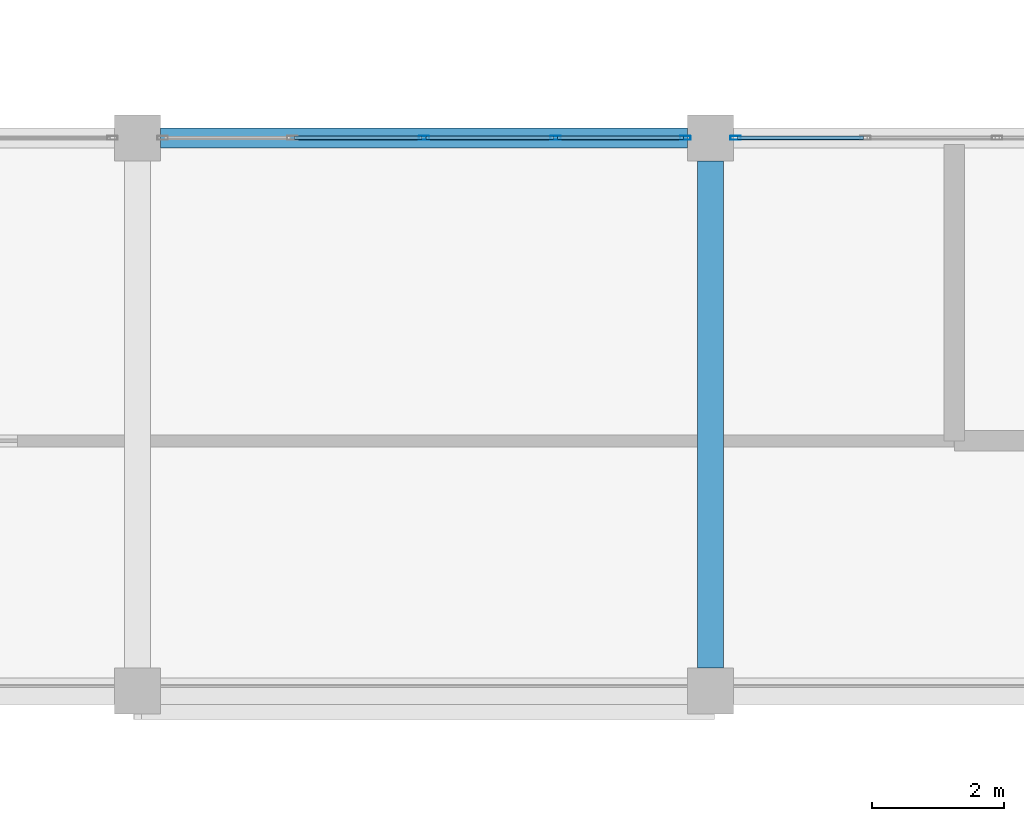
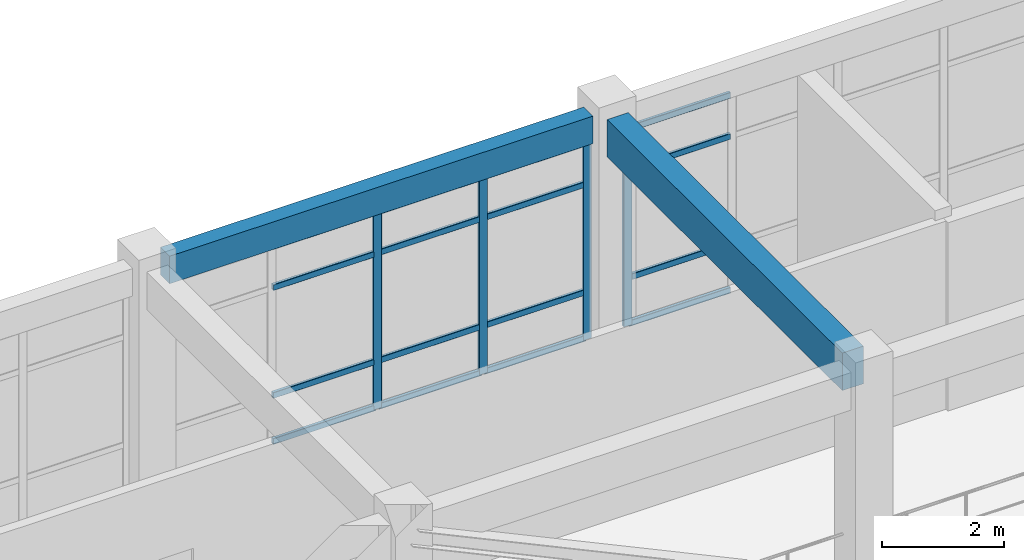
# One storey, part 36 of 76: 20 members, 2 beams, 2 elements without a shape of their own.
"""IFC4 building model written with IfcOpenShell, lengths in metres."""

from ifc_helpers import new_model, si_unit, derived_unit, direction, frame, origin, origin_2d, place, context, subcontext, project, spatial, rectangle, hollow_rectangle, extrude, material, layer, layer_set, material_profile, profile_set, type_object, element, aggregate, save


model = new_model("IFC4")

# Units and contexts
model_context = context("Model", 3, precision=1e-05, world=origin(), true_north=direction((0.0, 1.0)))
body_context = subcontext(model_context, "Body", "Model", "MODEL_VIEW")
ifc_project = project(units=[si_unit("LENGTHUNIT", "METRE"), si_unit("AREAUNIT", "SQUARE_METRE"), si_unit("VOLUMEUNIT", "CUBIC_METRE"), si_unit("PLANEANGLEUNIT", "RADIAN"), si_unit("MASSUNIT", "GRAM", prefix="KILO"), derived_unit("THERMALTRANSMITTANCEUNIT", [(si_unit("MASSUNIT", "GRAM", prefix="KILO"), 1), (si_unit("TIMEUNIT", "SECOND"), -3), (si_unit("THERMODYNAMICTEMPERATUREUNIT", "KELVIN"), -1)])], contexts=[model_context])

# Site, building, storey
site_placement = place(None, origin())
site = spatial("IfcSite", under=ifc_project, at=site_placement, CompositionType="ELEMENT")
building_placement = place(site_placement, origin())
building = spatial("IfcBuilding", under=site, at=building_placement, Name="Qinzheling Arcade Emporium", CompositionType="ELEMENT")
storey_placement = place(building_placement, frame((0.0, 0.0, 26.699951171875)))
storey = spatial("IfcBuildingStorey", under=building, at=storey_placement, Name="L06", CompositionType="ELEMENT", Elevation=26.699951171875)

# Curtain wall, members
ifc_material_1 = material(Name="Anodised aluminium and solar-control double glazing", Category="aluminium")
ifc_layer = layer(ifc_material_1, 0.159912109375, Name="Anodised aluminium and solar-control double glazing", Category="aluminium")
ifc_layer_set = layer_set([ifc_layer], Name="Anodised aluminium and solar-control double glazing")
curtain_wall_type = type_object("IfcCurtainWallType", Name="Atrium Clerestory Curtain Wall", PredefinedType="NOTDEFINED", material=ifc_layer_set)
curtain_wall_1_placement = place(storey_placement, origin())
curtain_wall_1 = element("IfcCurtainWall", 1, at=curtain_wall_1_placement, inside=storey, type_object=curtain_wall_type, Name="Curtain Wall CW-L06-369", PredefinedType="NOTDEFINED")
ifc_material_2 = material(Name="Anodised aluminium 6063-T6", Category="aluminium")
ifc_material_profile_1 = material_profile(ifc_material_2, hollow_rectangle(XDim=0.06005859375, YDim=0.159912109375, WallThickness=0.00390625, InnerFilletRadius=0.00390625, OuterFilletRadius=0.008056640625, at=origin_2d()), Name="RHS 160x60x4", Category="aluminium")
ifc_profile_set_1 = profile_set([ifc_material_profile_1], Name="Anodised aluminium 6063-T6")
member_type_1 = type_object("IfcMemberType", Name="Curtain Wall Mullion RHS160x60", PredefinedType="MULLION", material=ifc_profile_set_1)
member_1_placement = place(storey_placement, frame((73.949951171875, 73.800048828125, 0.0), z_axis=(0.0, 0.0, 1.0), x_axis=(0.0, 1.0, 0.0)))
member_1 = element("IfcMember", 2, at=member_1_placement, type_object=member_type_1, Name="CW03 mullion 3", PredefinedType="MULLION", context=body_context, shape_type="SweptSolid", body=[
    extrude(hollow_rectangle(XDim=0.06005859375, YDim=0.159912109375, WallThickness=0.00390625, InnerFilletRadius=0.00390625, OuterFilletRadius=0.008056640625, at=origin_2d()), origin(), (0.0, 0.0, 1.0), 3.955078125),
])
member_2_placement = place(storey_placement, frame((75.948974609375, 73.800048828125, 0.0), z_axis=(0.0, 0.0, 1.0), x_axis=(0.0, 1.0, 0.0)))
member_2 = element("IfcMember", 3, at=member_2_placement, type_object=member_type_1, Name="CW03 mullion 4", PredefinedType="MULLION", context=body_context, shape_type="SweptSolid", body=[
    extrude(hollow_rectangle(XDim=0.06005859375, YDim=0.159912109375, WallThickness=0.00390625, InnerFilletRadius=0.00390625, OuterFilletRadius=0.008056640625, at=origin_2d()), origin(), (0.0, 0.0, 1.0), 3.955078125),
])
member_3_placement = place(storey_placement, frame((77.91796875, 73.800048828125, 0.0), z_axis=(0.0, 0.0, 1.0), x_axis=(0.0, 1.0, 0.0)))
member_3 = element("IfcMember", 4, at=member_3_placement, type_object=member_type_1, Name="CW03 mullion 5", PredefinedType="MULLION", context=body_context, shape_type="SweptSolid", body=[
    extrude(hollow_rectangle(XDim=0.06005859375, YDim=0.159912109375, WallThickness=0.00390625, InnerFilletRadius=0.00390625, OuterFilletRadius=0.008056640625, at=origin_2d()), origin(), (0.0, 0.0, 1.0), 3.955078125),
])

# Curtain wall, member
curtain_wall_2_placement = place(storey_placement, origin())
curtain_wall_2 = element("IfcCurtainWall", 5, at=curtain_wall_2_placement, inside=storey, type_object=curtain_wall_type, Name="Curtain Wall CW-L06-370", PredefinedType="NOTDEFINED")
member_4_placement = place(storey_placement, frame((78.681884765625, 73.800048828125, 0.0), z_axis=(0.0, 0.0, 1.0), x_axis=(0.0, 1.0, 0.0)))
member_4 = element("IfcMember", 6, at=member_4_placement, type_object=member_type_1, Name="CW03 mullion 1", PredefinedType="MULLION", context=body_context, shape_type="SweptSolid", body=[
    extrude(hollow_rectangle(XDim=0.06005859375, YDim=0.159912109375, WallThickness=0.00390625, InnerFilletRadius=0.00390625, OuterFilletRadius=0.008056640625, at=origin_2d()), origin(), (0.0, 0.0, 1.0), 3.955078125),
])

# Member
ifc_material_profile_2 = material_profile(ifc_material_2, hollow_rectangle(XDim=0.06005859375, YDim=0.1201171875, WallThickness=0.00390625, InnerFilletRadius=0.00390625, OuterFilletRadius=0.008056640625, at=origin_2d()), Name="RHS 120x60x4", Category="aluminium")
ifc_profile_set_2 = profile_set([ifc_material_profile_2], Name="Anodised aluminium 6063-T6")
member_type_2 = type_object("IfcMemberType", Name="Curtain Wall Transom RHS120x60", PredefinedType="USERDEFINED", material=ifc_profile_set_2)
member_5_placement = place(storey_placement, frame((71.98095703125, 73.800048828125, 0.030029296875), z_axis=(1.0, 0.0, 0.0), x_axis=(0.0, 1.0, 0.0)))
member_5 = element("IfcMember", 7, at=member_5_placement, type_object=member_type_2, Name="CW03 transom 2.1", ObjectType="TRANSOM", PredefinedType="USERDEFINED", context=body_context, shape_type="SweptSolid", body=[
    extrude(hollow_rectangle(XDim=0.06005859375, YDim=0.1201171875, WallThickness=0.00390625, InnerFilletRadius=0.00390625, OuterFilletRadius=0.008056640625, at=origin_2d()), origin(), (0.0, 0.0, 1.0), 1.93896484375),
])

member_6_placement = place(storey_placement, frame((71.98095703125, 73.800048828125, 0.949951171875), z_axis=(1.0, 0.0, 0.0), x_axis=(0.0, 1.0, 0.0)))
member_6 = element("IfcMember", 8, at=member_6_placement, type_object=member_type_2, Name="CW03 transom 2.2", ObjectType="TRANSOM", PredefinedType="USERDEFINED", context=body_context, shape_type="SweptSolid", body=[
    extrude(hollow_rectangle(XDim=0.06005859375, YDim=0.1201171875, WallThickness=0.00390625, InnerFilletRadius=0.00390625, OuterFilletRadius=0.008056640625, at=origin_2d()), origin(), (0.0, 0.0, 1.0), 1.93896484375),
])

member_7_placement = place(storey_placement, frame((71.98095703125, 73.800048828125, 3.10498046875), z_axis=(1.0, 0.0, 0.0), x_axis=(0.0, 1.0, 0.0)))
member_7 = element("IfcMember", 9, at=member_7_placement, type_object=member_type_2, Name="CW03 transom 2.3", ObjectType="TRANSOM", PredefinedType="USERDEFINED", context=body_context, shape_type="SweptSolid", body=[
    extrude(hollow_rectangle(XDim=0.06005859375, YDim=0.1201171875, WallThickness=0.00390625, InnerFilletRadius=0.00390625, OuterFilletRadius=0.008056640625, at=origin_2d()), origin(), (0.0, 0.0, 1.0), 1.93896484375),
])

member_8_placement = place(storey_placement, frame((71.98095703125, 73.800048828125, 3.925048828125), z_axis=(1.0, 0.0, 0.0), x_axis=(0.0, 1.0, 0.0)))
member_8 = element("IfcMember", 10, at=member_8_placement, type_object=member_type_2, Name="CW03 transom 2.4", ObjectType="TRANSOM", PredefinedType="USERDEFINED", context=body_context, shape_type="SweptSolid", body=[
    extrude(hollow_rectangle(XDim=0.06005859375, YDim=0.1201171875, WallThickness=0.00390625, InnerFilletRadius=0.00390625, OuterFilletRadius=0.008056640625, at=origin_2d()), origin(), (0.0, 0.0, 1.0), 1.93896484375),
])

member_9_placement = place(storey_placement, frame((73.97998046875, 73.800048828125, 0.030029296875), z_axis=(1.0, 0.0, 0.0), x_axis=(0.0, 1.0, 0.0)))
member_9 = element("IfcMember", 11, at=member_9_placement, type_object=member_type_2, Name="CW03 transom 3.1", ObjectType="TRANSOM", PredefinedType="USERDEFINED", context=body_context, shape_type="SweptSolid", body=[
    extrude(hollow_rectangle(XDim=0.06005859375, YDim=0.1201171875, WallThickness=0.00390625, InnerFilletRadius=0.00390625, OuterFilletRadius=0.008056640625, at=origin_2d()), origin(), (0.0, 0.0, 1.0), 1.93896484375),
])

member_10_placement = place(storey_placement, frame((73.97998046875, 73.800048828125, 0.949951171875), z_axis=(1.0, 0.0, 0.0), x_axis=(0.0, 1.0, 0.0)))
member_10 = element("IfcMember", 12, at=member_10_placement, type_object=member_type_2, Name="CW03 transom 3.2", ObjectType="TRANSOM", PredefinedType="USERDEFINED", context=body_context, shape_type="SweptSolid", body=[
    extrude(hollow_rectangle(XDim=0.06005859375, YDim=0.1201171875, WallThickness=0.00390625, InnerFilletRadius=0.00390625, OuterFilletRadius=0.008056640625, at=origin_2d()), origin(), (0.0, 0.0, 1.0), 1.93896484375),
])

member_11_placement = place(storey_placement, frame((73.97998046875, 73.800048828125, 3.10498046875), z_axis=(1.0, 0.0, 0.0), x_axis=(0.0, 1.0, 0.0)))
member_11 = element("IfcMember", 13, at=member_11_placement, type_object=member_type_2, Name="CW03 transom 3.3", ObjectType="TRANSOM", PredefinedType="USERDEFINED", context=body_context, shape_type="SweptSolid", body=[
    extrude(hollow_rectangle(XDim=0.06005859375, YDim=0.1201171875, WallThickness=0.00390625, InnerFilletRadius=0.00390625, OuterFilletRadius=0.008056640625, at=origin_2d()), origin(), (0.0, 0.0, 1.0), 1.93896484375),
])

member_12_placement = place(storey_placement, frame((73.97998046875, 73.800048828125, 3.925048828125), z_axis=(1.0, 0.0, 0.0), x_axis=(0.0, 1.0, 0.0)))
member_12 = element("IfcMember", 14, at=member_12_placement, type_object=member_type_2, Name="CW03 transom 3.4", ObjectType="TRANSOM", PredefinedType="USERDEFINED", context=body_context, shape_type="SweptSolid", body=[
    extrude(hollow_rectangle(XDim=0.06005859375, YDim=0.1201171875, WallThickness=0.00390625, InnerFilletRadius=0.00390625, OuterFilletRadius=0.008056640625, at=origin_2d()), origin(), (0.0, 0.0, 1.0), 1.93896484375),
])

member_13_placement = place(storey_placement, frame((75.97900390625, 73.800048828125, 0.030029296875), z_axis=(1.0, 0.0, 0.0), x_axis=(0.0, 1.0, 0.0)))
member_13 = element("IfcMember", 15, at=member_13_placement, type_object=member_type_2, Name="CW03 transom 4.1", ObjectType="TRANSOM", PredefinedType="USERDEFINED", context=body_context, shape_type="SweptSolid", body=[
    extrude(hollow_rectangle(XDim=0.06005859375, YDim=0.1201171875, WallThickness=0.00390625, InnerFilletRadius=0.00390625, OuterFilletRadius=0.008056640625, at=origin_2d()), origin(), (0.0, 0.0, 1.0), 1.908935546875),
])

member_14_placement = place(storey_placement, frame((75.97900390625, 73.800048828125, 0.949951171875), z_axis=(1.0, 0.0, 0.0), x_axis=(0.0, 1.0, 0.0)))
member_14 = element("IfcMember", 16, at=member_14_placement, type_object=member_type_2, Name="CW03 transom 4.2", ObjectType="TRANSOM", PredefinedType="USERDEFINED", context=body_context, shape_type="SweptSolid", body=[
    extrude(hollow_rectangle(XDim=0.06005859375, YDim=0.1201171875, WallThickness=0.00390625, InnerFilletRadius=0.00390625, OuterFilletRadius=0.008056640625, at=origin_2d()), origin(), (0.0, 0.0, 1.0), 1.908935546875),
])

member_15_placement = place(storey_placement, frame((75.97900390625, 73.800048828125, 3.10498046875), z_axis=(1.0, 0.0, 0.0), x_axis=(0.0, 1.0, 0.0)))
member_15 = element("IfcMember", 17, at=member_15_placement, type_object=member_type_2, Name="CW03 transom 4.3", ObjectType="TRANSOM", PredefinedType="USERDEFINED", context=body_context, shape_type="SweptSolid", body=[
    extrude(hollow_rectangle(XDim=0.06005859375, YDim=0.1201171875, WallThickness=0.00390625, InnerFilletRadius=0.00390625, OuterFilletRadius=0.008056640625, at=origin_2d()), origin(), (0.0, 0.0, 1.0), 1.908935546875),
])

member_16_placement = place(storey_placement, frame((75.97900390625, 73.800048828125, 3.925048828125), z_axis=(1.0, 0.0, 0.0), x_axis=(0.0, 1.0, 0.0)))
member_16 = element("IfcMember", 18, at=member_16_placement, type_object=member_type_2, Name="CW03 transom 4.4", ObjectType="TRANSOM", PredefinedType="USERDEFINED", context=body_context, shape_type="SweptSolid", body=[
    extrude(hollow_rectangle(XDim=0.06005859375, YDim=0.1201171875, WallThickness=0.00390625, InnerFilletRadius=0.00390625, OuterFilletRadius=0.008056640625, at=origin_2d()), origin(), (0.0, 0.0, 1.0), 1.908935546875),
])

aggregate(curtain_wall_1, [member_1, member_2, member_3, member_5, member_6, member_7, member_8, member_9, member_10, member_11, member_12, member_13, member_14, member_15, member_16])

member_17_placement = place(storey_placement, frame((78.7119140625, 73.800048828125, 0.030029296875), z_axis=(1.0, 0.0, 0.0), x_axis=(0.0, 1.0, 0.0)))
member_17 = element("IfcMember", 19, at=member_17_placement, type_object=member_type_2, Name="CW03 transom 1.1", ObjectType="TRANSOM", PredefinedType="USERDEFINED", context=body_context, shape_type="SweptSolid", body=[
    extrude(hollow_rectangle(XDim=0.06005859375, YDim=0.1201171875, WallThickness=0.00390625, InnerFilletRadius=0.00390625, OuterFilletRadius=0.008056640625, at=origin_2d()), origin(), (0.0, 0.0, 1.0), 1.9091796875),
])

member_18_placement = place(storey_placement, frame((78.7119140625, 73.800048828125, 0.949951171875), z_axis=(1.0, 0.0, 0.0), x_axis=(0.0, 1.0, 0.0)))
member_18 = element("IfcMember", 20, at=member_18_placement, type_object=member_type_2, Name="CW03 transom 1.2", ObjectType="TRANSOM", PredefinedType="USERDEFINED", context=body_context, shape_type="SweptSolid", body=[
    extrude(hollow_rectangle(XDim=0.06005859375, YDim=0.1201171875, WallThickness=0.00390625, InnerFilletRadius=0.00390625, OuterFilletRadius=0.008056640625, at=origin_2d()), origin(), (0.0, 0.0, 1.0), 1.9091796875),
])

member_19_placement = place(storey_placement, frame((78.7119140625, 73.800048828125, 3.10498046875), z_axis=(1.0, 0.0, 0.0), x_axis=(0.0, 1.0, 0.0)))
member_19 = element("IfcMember", 21, at=member_19_placement, type_object=member_type_2, Name="CW03 transom 1.3", ObjectType="TRANSOM", PredefinedType="USERDEFINED", context=body_context, shape_type="SweptSolid", body=[
    extrude(hollow_rectangle(XDim=0.06005859375, YDim=0.1201171875, WallThickness=0.00390625, InnerFilletRadius=0.00390625, OuterFilletRadius=0.008056640625, at=origin_2d()), origin(), (0.0, 0.0, 1.0), 1.9091796875),
])

member_20_placement = place(storey_placement, frame((78.7119140625, 73.800048828125, 3.925048828125), z_axis=(1.0, 0.0, 0.0), x_axis=(0.0, 1.0, 0.0)))
member_20 = element("IfcMember", 22, at=member_20_placement, type_object=member_type_2, Name="CW03 transom 1.4", ObjectType="TRANSOM", PredefinedType="USERDEFINED", context=body_context, shape_type="SweptSolid", body=[
    extrude(hollow_rectangle(XDim=0.06005859375, YDim=0.1201171875, WallThickness=0.00390625, InnerFilletRadius=0.00390625, OuterFilletRadius=0.008056640625, at=origin_2d()), origin(), (0.0, 0.0, 1.0), 1.9091796875),
])

aggregate(curtain_wall_2, [member_4, member_17, member_18, member_19, member_20])

# Beams
ifc_material_3 = material(Name="Concrete C40", Category="concrete")
ifc_material_profile_3 = material_profile(ifc_material_3, rectangle(XDim=0.39990234375, YDim=0.75, at=origin_2d()), Name="RC 400x750", Category="concrete")
ifc_profile_set_3 = profile_set([ifc_material_profile_3], Name="Concrete C40")
beam_type_1 = type_object("IfcBeamType", Name="RC Interior Tie Beam 400x750 C40", PredefinedType="BEAM", material=ifc_profile_set_3)
beam_1_placement = place(storey_placement, frame((78.300048828125, 65.75, 4.14501953125), z_axis=(0.0, 1.0, 0.0), x_axis=(-1.0, 0.0, 0.0)))
element("IfcBeam", 23, at=beam_1_placement, inside=storey, type_object=beam_type_1, Name="Beam BM-L06-Y-10-H", PredefinedType="BEAM", context=body_context, shape_type="SweptSolid", body=[
    extrude(rectangle(XDim=0.39990234375, YDim=0.75, at=origin_2d()), origin(), (0.0, 0.0, 1.0), 7.699951171875),
])
ifc_material_profile_4 = material_profile(ifc_material_3, rectangle(XDim=0.300048828125, YDim=0.550048828125, at=origin_2d()), Name="RC 300x550", Category="concrete")
ifc_profile_set_4 = profile_set([ifc_material_profile_4], Name="Concrete C40")
beam_type_2 = type_object("IfcBeamType", Name="RC Terrace Spandrel Beam 300x550 C40", PredefinedType="SPANDREL", material=ifc_profile_set_4)
beam_2_placement = place(storey_placement, frame((69.949951171875, 73.800048828125, 4.2451171875), z_axis=(1.0, 0.0, 0.0), x_axis=(0.0, 1.0, 0.0)))
element("IfcBeam", 24, at=beam_2_placement, inside=storey, type_object=beam_type_2, Name="Beam BM-L06-X-J-9", PredefinedType="SPANDREL", context=body_context, shape_type="SweptSolid", body=[
    extrude(rectangle(XDim=0.300048828125, YDim=0.550048828125, at=origin_2d()), origin(), (0.0, 0.0, 1.0), 8.0),
])

save(model, "model.ifc")
